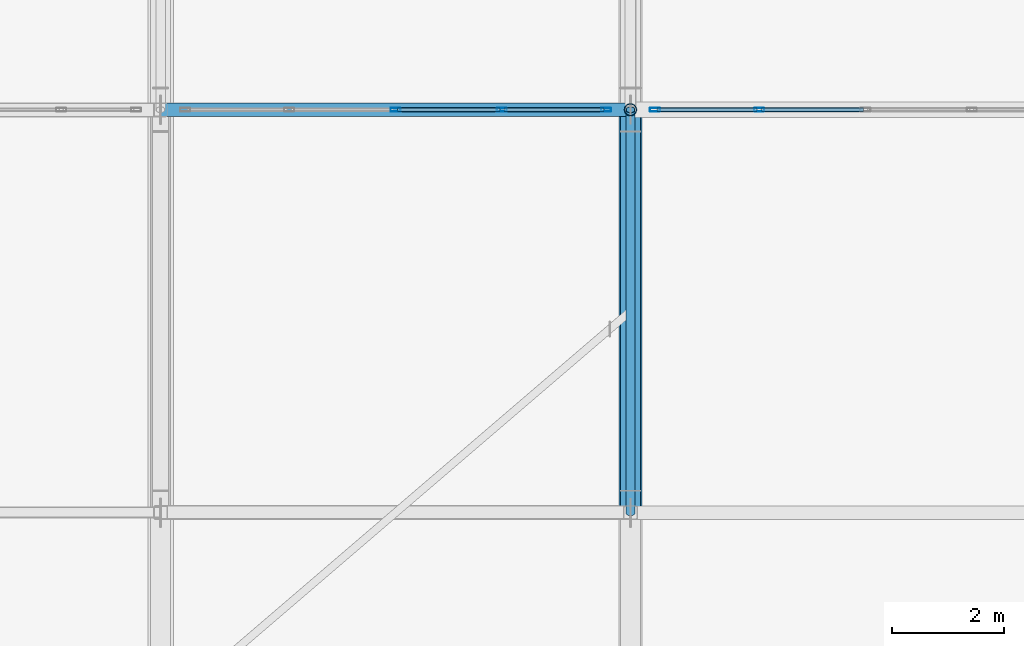
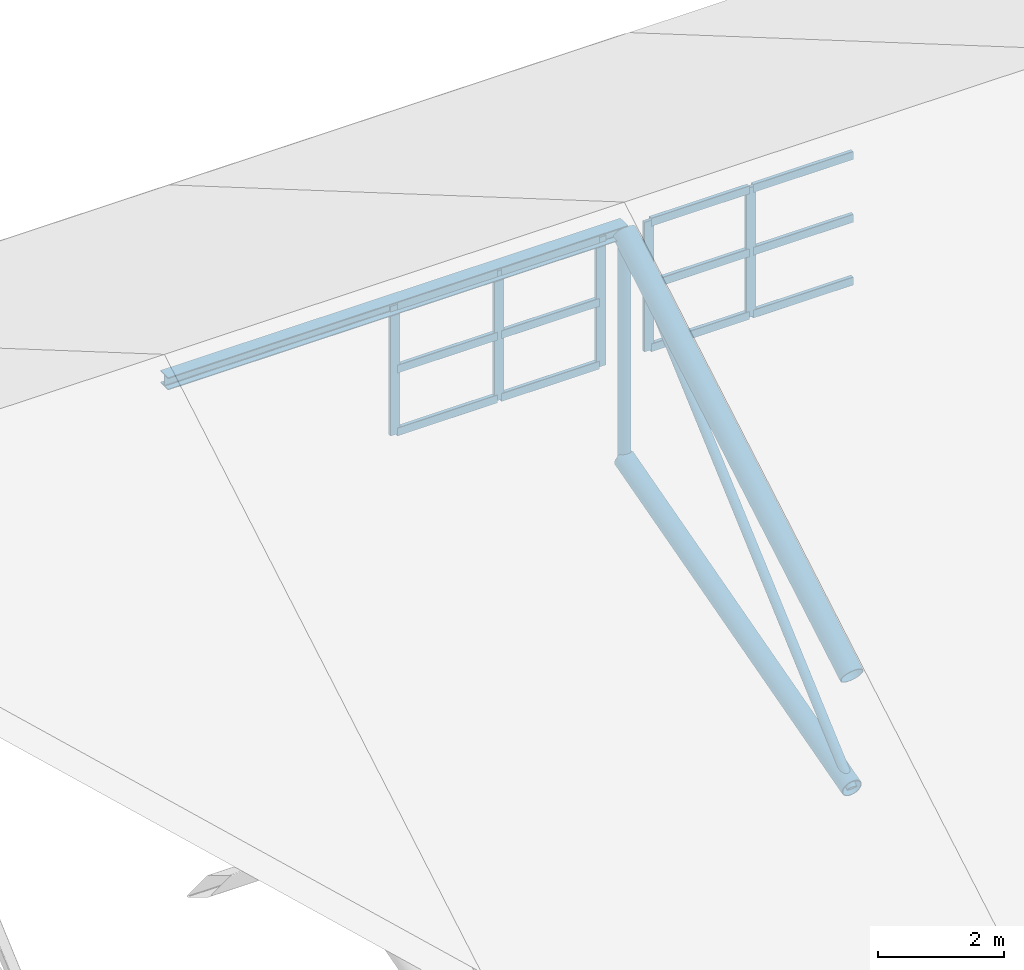
# One storey, part 9 of 54: 22 members, 2 elements without a shape of their own.
"""IFC4 building model written with IfcOpenShell, lengths in metres."""

import ifcopenshell
import ifcopenshell.guid

model = None  # the IFC model being written
_history = None  # IfcOwnerHistory: only IFC2X3 demands one
_inside = {}  # id of a spatial element -> (the spatial element, [elements in it])
_under = {}  # id of a project, library or spatial element -> (it, [spatial elements below it])
_declared = {}  # id of a project -> (the project, [libraries it declares])
_typed = {}  # id of a type object -> (the type object, [elements of that type])
_made_of = {}  # id of a material, layer set ... -> (it, [elements and type objects made of it])


def new_model(schema):
    """Start an empty IFC model of exactly this schema.

    Asked for "IFC4X3", IfcOpenShell would pick the latest addendum, in which some entities
    have other attributes; the version numbers below select the first issue.
    IFC2X3 requires an IfcOwnerHistory on every rooted entity: one is made here for all.
    """
    global model, _history
    if schema == "IFC4X3":
        model = ifcopenshell.file(schema_version=(4, 3, 0, 0))
    else:
        model = ifcopenshell.file(schema=schema)
    _inside.clear()
    _under.clear()
    _declared.clear()
    _typed.clear()
    _made_of.clear()
    _history = None
    if model.schema == "IFC2X3":
        org = make("IfcOrganization", Name="unknown")
        user = make(
            "IfcPersonAndOrganization",
            ThePerson=make("IfcPerson", FamilyName="unknown"),
            TheOrganization=org,
        )
        app = make(
            "IfcApplication",
            ApplicationDeveloper=org,
            Version="unknown",
            ApplicationFullName="unknown",
            ApplicationIdentifier="unknown",
        )
        _history = make(
            "IfcOwnerHistory",
            OwningUser=user,
            OwningApplication=app,
            ChangeAction="ADDED",
            CreationDate=0,
        )
    return model


def make(cls, **values):
    """One entity of the class cls with the attributes given. An attribute that is None is left unset."""
    return model.create_entity(
        cls, **{name: value for name, value in values.items() if value is not None}
    )


def rooted(cls, **values):
    """An entity with a GlobalId (a new one), such as an element, a storey or a relation."""
    return make(cls, GlobalId=ifcopenshell.guid.new(), OwnerHistory=_history, **values)


def si_unit(unit_type, name, prefix=None):
    """IfcSIUnit, for example si_unit("LENGTHUNIT", "METRE", prefix="MILLI")."""
    return make("IfcSIUnit", UnitType=unit_type, Prefix=prefix, Name=name)


def assignment(units):
    """IfcUnitAssignment: the units of a project."""
    return None if units is None else make("IfcUnitAssignment", Units=units)


def point(xyz):
    """IfcCartesianPoint."""
    return None if xyz is None else make("IfcCartesianPoint", Coordinates=xyz)


def direction(xyz):
    """IfcDirection."""
    return None if xyz is None else make("IfcDirection", DirectionRatios=xyz)


def frame(location, z_axis=None, x_axis=None):
    """IfcAxis2Placement3D, a coordinate frame: its origin and axes. An axis left out is left unset."""
    return make(
        "IfcAxis2Placement3D",
        Location=point(location),
        Axis=direction(z_axis),
        RefDirection=direction(x_axis),
    )


def frame_2d(location, x_axis=None):
    """IfcAxis2Placement2D, a coordinate frame in the plane: its origin and x axis."""
    return make(
        "IfcAxis2Placement2D", Location=point(location), RefDirection=direction(x_axis)
    )


def origin():
    """The frame at (0, 0, 0) with its axes left unset."""
    return frame((0.0, 0.0, 0.0))


def origin_2d():
    """The frame at (0, 0) in the plane with its x axis left unset."""
    return frame_2d((0.0, 0.0))


def place(relative_to, where):
    """IfcLocalPlacement: puts the frame where relative to a parent placement (None: the world)."""
    return make(
        "IfcLocalPlacement", PlacementRelTo=relative_to, RelativePlacement=where
    )


def context(
    kind, dimensions, precision=None, world=None, true_north=None, identifier=None
):
    """IfcGeometricRepresentationContext, for example the 3D "Model" context."""
    return make(
        "IfcGeometricRepresentationContext",
        ContextIdentifier=identifier,
        ContextType=kind,
        CoordinateSpaceDimension=dimensions,
        Precision=precision,
        WorldCoordinateSystem=world,
        TrueNorth=true_north,
    )


def subcontext(parent, identifier, kind, view, scale=None):
    """IfcGeometricRepresentationSubContext, for example "Body" below "Model"."""
    return make(
        "IfcGeometricRepresentationSubContext",
        ContextIdentifier=identifier,
        ContextType=kind,
        ParentContext=parent,
        TargetScale=scale,
        TargetView=view,
    )


def project(units=None, contexts=None):
    """IfcProject with its units and contexts."""
    return rooted(
        "IfcProject",
        Name="project",
        RepresentationContexts=contexts,
        UnitsInContext=assignment(units),
    )


def spatial(cls, under=None, at=None, **own):
    """A site, building, storey or space (cls), placed at a placement, below another one or the project."""
    s = rooted(cls, ObjectPlacement=at, **own)
    if under is not None:
        _under.setdefault(under.id(), (under, []))[1].append(s)
    return s


def profile(cls, at=None, kind="AREA", **sizes):
    """A parametric profile (cls). Its sizes go by their IFC names, for example OverallWidth=200.0."""
    return make(cls, ProfileType=kind, Position=at, **sizes)


def hollow_rectangle(**sizes):
    """IfcRectangleHollowProfileDef."""
    return profile("IfcRectangleHollowProfileDef", **sizes)


def hollow_circle(**sizes):
    """IfcCircleHollowProfileDef."""
    return profile("IfcCircleHollowProfileDef", **sizes)


def i_section(**sizes):
    """IfcIShapeProfileDef."""
    return profile("IfcIShapeProfileDef", **sizes)


def extrude(swept, where, along, depth):
    """IfcExtrudedAreaSolid: the profile swept, set in the frame where, extruded along a direction by depth."""
    return make(
        "IfcExtrudedAreaSolid",
        SweptArea=swept,
        Position=where,
        ExtrudedDirection=direction(along),
        Depth=depth,
    )


def shape(context_of_items, identifier, shape_type, items):
    """IfcShapeRepresentation: the items that make up one representation, for example the "Body"."""
    return make(
        "IfcShapeRepresentation",
        ContextOfItems=context_of_items,
        RepresentationIdentifier=identifier,
        RepresentationType=shape_type,
        Items=items,
    )


def material(Name=None, Category=None):
    """IfcMaterial."""
    return make("IfcMaterial", Name=Name, Category=Category)


def layer(
    of_material, thickness, ventilated=None, Name=None, Category=None, Priority=None
):
    """IfcMaterialLayer: one layer of a wall or slab, of a material (None: an air gap)."""
    return make(
        "IfcMaterialLayer",
        Material=of_material,
        LayerThickness=thickness,
        IsVentilated=ventilated,
        Name=Name,
        Category=Category,
        Priority=Priority,
    )


def layer_set(layers, Name=None):
    """IfcMaterialLayerSet."""
    return make("IfcMaterialLayerSet", MaterialLayers=layers, LayerSetName=Name)


def material_profile(
    of_material, cross_section, Name=None, Category=None, Priority=None
):
    """IfcMaterialProfile: a cross section and its material."""
    return make(
        "IfcMaterialProfile",
        Name=Name,
        Material=of_material,
        Profile=cross_section,
        Priority=Priority,
        Category=Category,
    )


def profile_set(profiles, Name=None, composite=None):
    """IfcMaterialProfileSet."""
    return make(
        "IfcMaterialProfileSet",
        Name=Name,
        MaterialProfiles=profiles,
        CompositeProfile=composite,
    )


def made_of(thing, what):
    """Note that an element or type object is made of a material, layer set ...; save() writes the relation."""
    if what is not None:
        _made_of.setdefault(what.id(), (what, []))[1].append(thing)
    return thing


def type_object(cls, material=None, **own):
    """A type object (cls), such as IfcWallType, which elements share."""
    return made_of(rooted(cls, **own), material)


def element(
    cls,
    number,
    at=None,
    inside=None,
    cuts=None,
    type_object=None,
    material=None,
    context=None,
    identifier="Body",
    shape_type=None,
    held_by="IfcProductDefinitionShape",
    body=None,
    shapes=None,
    **own,
):
    """One element of the class cls, such as IfcWall. Its Tag is "e" and its number.

    at: its placement. inside: the storey or other place that contains it. cuts: it is an
    opening in that element (IfcRelVoidsElement). A single representation is given by context,
    identifier, shape_type and body (its items); several are given by shapes. held_by: the class
    of the entity that holds the representations. save() writes the other relations.
    """
    e = rooted(cls, Tag="e%d" % number, ObjectPlacement=at, **own)
    if body is not None:
        shapes = [shape(context, identifier, shape_type, body)]
    if shapes is not None:
        e.Representation = make(held_by, Representations=shapes)
    if inside is not None:
        _inside.setdefault(inside.id(), (inside, []))[1].append(e)
    if cuts is not None:
        rooted(
            "IfcRelVoidsElement", RelatingBuildingElement=cuts, RelatedOpeningElement=e
        )
    if type_object is not None:
        _typed.setdefault(type_object.id(), (type_object, []))[1].append(e)
    return made_of(e, material)


def aggregate(whole, parts):
    """IfcRelAggregates: a whole, such as a stair, and the parts it consists of."""
    return rooted("IfcRelAggregates", RelatingObject=whole, RelatedObjects=parts)


def save(model, path):
    """Write the relations noted so far, then the file.

    IfcRelAggregates (storeys below a building ...), IfcRelContainedInSpatialStructure (elements
    in a storey), IfcRelDefinesByType, IfcRelAssociatesMaterial and IfcRelDeclares: one each for
    every whole, place, type object, material and project.
    """
    for whole, parts in _under.values():
        aggregate(whole, parts)
    for where, things in _inside.values():
        rooted(
            "IfcRelContainedInSpatialStructure",
            RelatedElements=things,
            RelatingStructure=where,
        )
    for kind, things in _typed.values():
        rooted("IfcRelDefinesByType", RelatedObjects=things, RelatingType=kind)
    for what, things in _made_of.values():
        rooted("IfcRelAssociatesMaterial", RelatedObjects=things, RelatingMaterial=what)
    for by, libraries in _declared.values():
        rooted("IfcRelDeclares", RelatingContext=by, RelatedDefinitions=libraries)
    model.write(path)


model = new_model("IFC4")

# Units and contexts
model_context = context("Model", 3, precision=1e-05, world=origin(), true_north=direction((0.0, 1.0)))
body_context = subcontext(model_context, "Body", "Model", "MODEL_VIEW")
ifc_project = project(units=[si_unit("LENGTHUNIT", "METRE"), si_unit("AREAUNIT", "SQUARE_METRE"), si_unit("VOLUMEUNIT", "CUBIC_METRE"), si_unit("PLANEANGLEUNIT", "RADIAN"), si_unit("MASSUNIT", "GRAM", prefix="KILO")], contexts=[model_context])

# Site, building, storey
site_placement = place(None, origin())
site = spatial("IfcSite", under=ifc_project, at=site_placement, CompositionType="ELEMENT")
building_placement = place(site_placement, origin())
building = spatial("IfcBuilding", under=site, at=building_placement, Name="Zulmaris Art Gallery", CompositionType="ELEMENT")
storey_placement = place(building_placement, frame((0.0, 0.0, 26.39990234375)))
storey = spatial("IfcBuildingStorey", under=building, at=storey_placement, Name="L05", CompositionType="ELEMENT", Elevation=26.39990234375)

# Curtain wall, members
ifc_material_1 = material(Name="Pitched Roof North-Light Clerestory Wall", Category="aluminium")
ifc_layer = layer(ifc_material_1, 0.179931640625)
ifc_layer_set = layer_set([ifc_layer], Name="Pitched Roof North-Light Clerestory Wall")
curtain_wall_type = type_object("IfcCurtainWallType", Name="CW-CW05", PredefinedType="NOTDEFINED", material=ifc_layer_set)
curtain_wall_1_placement = place(storey_placement, origin())
curtain_wall_1 = element("IfcCurtainWall", 1, at=curtain_wall_1_placement, inside=storey, type_object=curtain_wall_type, Name="L05 curtain wall 45", PredefinedType="NOTDEFINED")
ifc_material_2 = material(Name="Anodised Bronze Aluminium", Category="aluminium")
ifc_material_profile_1 = material_profile(ifc_material_2, hollow_rectangle(XDim=0.06494140625, YDim=0.179931640625, WallThickness=0.00390625, InnerFilletRadius=0.006103515625, OuterFilletRadius=0.010009765625, at=origin_2d()), Name="ALU 65x180x4")
ifc_profile_set_1 = profile_set([ifc_material_profile_1], Name="Anodised Bronze Aluminium")
member_type_1 = type_object("IfcMemberType", Name="CWMUL-01", PredefinedType="MULLION", material=ifc_profile_set_1)
member_1_placement = place(storey_placement, frame((28.199951171875, 36.0, 5.400146484375), z_axis=(0.0, 0.0, 1.0), x_axis=(0.0, 1.0, 0.0)))
member_1 = element("IfcMember", 2, at=member_1_placement, type_object=member_type_1, Name="CW05 mullion 3", PredefinedType="MULLION", context=body_context, shape_type="SweptSolid", body=[
    extrude(hollow_rectangle(XDim=0.06494140625, YDim=0.179931640625, WallThickness=0.00390625, InnerFilletRadius=0.006103515625, OuterFilletRadius=0.010009765625, at=origin_2d()), origin(), (0.0, 0.0, 1.0), 2.5),
])
member_2_placement = place(storey_placement, frame((30.10009765625, 36.0, 5.400146484375), z_axis=(0.0, 0.0, 1.0), x_axis=(0.0, 1.0, 0.0)))
member_2 = element("IfcMember", 3, at=member_2_placement, type_object=member_type_1, Name="CW05 mullion 4", PredefinedType="MULLION", context=body_context, shape_type="SweptSolid", body=[
    extrude(hollow_rectangle(XDim=0.06494140625, YDim=0.179931640625, WallThickness=0.00390625, InnerFilletRadius=0.006103515625, OuterFilletRadius=0.010009765625, at=origin_2d()), origin(), (0.0, 0.0, 1.0), 2.5),
])
member_3_placement = place(storey_placement, frame((31.96240234375, 36.0, 5.400146484375), z_axis=(0.0, 0.0, 1.0), x_axis=(0.0, 1.0, 0.0)))
member_3 = element("IfcMember", 4, at=member_3_placement, type_object=member_type_1, Name="CW05 mullion 5", PredefinedType="MULLION", context=body_context, shape_type="SweptSolid", body=[
    extrude(hollow_rectangle(XDim=0.06494140625, YDim=0.179931640625, WallThickness=0.00390625, InnerFilletRadius=0.006103515625, OuterFilletRadius=0.010009765625, at=origin_2d()), origin(), (0.0, 0.0, 1.0), 2.5),
])

curtain_wall_2_placement = place(storey_placement, origin())
curtain_wall_2 = element("IfcCurtainWall", 5, at=curtain_wall_2_placement, inside=storey, type_object=curtain_wall_type, Name="L05 curtain wall 46", PredefinedType="NOTDEFINED")
member_4_placement = place(storey_placement, frame((32.83740234375, 36.0, 5.400146484375), z_axis=(0.0, 0.0, 1.0), x_axis=(0.0, 1.0, 0.0)))
member_4 = element("IfcMember", 6, at=member_4_placement, type_object=member_type_1, Name="CW05 mullion 1", PredefinedType="MULLION", context=body_context, shape_type="SweptSolid", body=[
    extrude(hollow_rectangle(XDim=0.06494140625, YDim=0.179931640625, WallThickness=0.00390625, InnerFilletRadius=0.006103515625, OuterFilletRadius=0.010009765625, at=origin_2d()), origin(), (0.0, 0.0, 1.0), 2.5),
])
member_5_placement = place(storey_placement, frame((34.699951171875, 36.0, 5.400146484375), z_axis=(0.0, 0.0, 1.0), x_axis=(0.0, 1.0, 0.0)))
member_5 = element("IfcMember", 7, at=member_5_placement, type_object=member_type_1, Name="CW05 mullion 2", PredefinedType="MULLION", context=body_context, shape_type="SweptSolid", body=[
    extrude(hollow_rectangle(XDim=0.06494140625, YDim=0.179931640625, WallThickness=0.00390625, InnerFilletRadius=0.006103515625, OuterFilletRadius=0.010009765625, at=origin_2d()), origin(), (0.0, 0.0, 1.0), 2.5),
])

# Member
ifc_material_profile_2 = material_profile(ifc_material_2, hollow_rectangle(XDim=0.074951171875, YDim=0.159912109375, WallThickness=0.00390625, InnerFilletRadius=0.006103515625, OuterFilletRadius=0.010009765625, at=origin_2d()), Name="ALU 75x160x4")
ifc_profile_set_2 = profile_set([ifc_material_profile_2], Name="Anodised Bronze Aluminium")
member_type_2 = type_object("IfcMemberType", Name="CWTRN-02", PredefinedType="USERDEFINED", material=ifc_profile_set_2)
member_6_placement = place(storey_placement, frame((28.237548828125, 36.0, 5.4375), z_axis=(1.0, 0.0, 0.0), x_axis=(0.0, 1.0, 0.0)))
member_6 = element("IfcMember", 8, at=member_6_placement, type_object=member_type_2, Name="CW05 transom 3.1", ObjectType="TRANSOM", PredefinedType="USERDEFINED", context=body_context, shape_type="SweptSolid", body=[
    extrude(hollow_rectangle(XDim=0.074951171875, YDim=0.159912109375, WallThickness=0.00390625, InnerFilletRadius=0.006103515625, OuterFilletRadius=0.010009765625, at=origin_2d()), origin(), (0.0, 0.0, 1.0), 1.824951171875),
])

member_7_placement = place(storey_placement, frame((28.237548828125, 36.0, 6.650146484375), z_axis=(1.0, 0.0, 0.0), x_axis=(0.0, 1.0, 0.0)))
member_7 = element("IfcMember", 9, at=member_7_placement, type_object=member_type_2, Name="CW05 transom 3.2", ObjectType="TRANSOM", PredefinedType="USERDEFINED", context=body_context, shape_type="SweptSolid", body=[
    extrude(hollow_rectangle(XDim=0.074951171875, YDim=0.159912109375, WallThickness=0.00390625, InnerFilletRadius=0.006103515625, OuterFilletRadius=0.010009765625, at=origin_2d()), origin(), (0.0, 0.0, 1.0), 1.824951171875),
])

member_8_placement = place(storey_placement, frame((28.237548828125, 36.0, 7.862548828125), z_axis=(1.0, 0.0, 0.0), x_axis=(0.0, 1.0, 0.0)))
member_8 = element("IfcMember", 10, at=member_8_placement, type_object=member_type_2, Name="CW05 transom 3.3", ObjectType="TRANSOM", PredefinedType="USERDEFINED", context=body_context, shape_type="SweptSolid", body=[
    extrude(hollow_rectangle(XDim=0.074951171875, YDim=0.159912109375, WallThickness=0.00390625, InnerFilletRadius=0.006103515625, OuterFilletRadius=0.010009765625, at=origin_2d()), origin(), (0.0, 0.0, 1.0), 1.824951171875),
])

member_9_placement = place(storey_placement, frame((30.137451171875, 36.0, 5.4375), z_axis=(1.0, 0.0, 0.0), x_axis=(0.0, 1.0, 0.0)))
member_9 = element("IfcMember", 11, at=member_9_placement, type_object=member_type_2, Name="CW05 transom 4.1", ObjectType="TRANSOM", PredefinedType="USERDEFINED", context=body_context, shape_type="SweptSolid", body=[
    extrude(hollow_rectangle(XDim=0.074951171875, YDim=0.159912109375, WallThickness=0.00390625, InnerFilletRadius=0.006103515625, OuterFilletRadius=0.010009765625, at=origin_2d()), origin(), (0.0, 0.0, 1.0), 1.78759765625),
])

member_10_placement = place(storey_placement, frame((30.137451171875, 36.0, 6.650146484375), z_axis=(1.0, 0.0, 0.0), x_axis=(0.0, 1.0, 0.0)))
member_10 = element("IfcMember", 12, at=member_10_placement, type_object=member_type_2, Name="CW05 transom 4.2", ObjectType="TRANSOM", PredefinedType="USERDEFINED", context=body_context, shape_type="SweptSolid", body=[
    extrude(hollow_rectangle(XDim=0.074951171875, YDim=0.159912109375, WallThickness=0.00390625, InnerFilletRadius=0.006103515625, OuterFilletRadius=0.010009765625, at=origin_2d()), origin(), (0.0, 0.0, 1.0), 1.78759765625),
])

member_11_placement = place(storey_placement, frame((30.137451171875, 36.0, 7.862548828125), z_axis=(1.0, 0.0, 0.0), x_axis=(0.0, 1.0, 0.0)))
member_11 = element("IfcMember", 13, at=member_11_placement, type_object=member_type_2, Name="CW05 transom 4.3", ObjectType="TRANSOM", PredefinedType="USERDEFINED", context=body_context, shape_type="SweptSolid", body=[
    extrude(hollow_rectangle(XDim=0.074951171875, YDim=0.159912109375, WallThickness=0.00390625, InnerFilletRadius=0.006103515625, OuterFilletRadius=0.010009765625, at=origin_2d()), origin(), (0.0, 0.0, 1.0), 1.78759765625),
])

aggregate(curtain_wall_1, [member_1, member_2, member_3, member_6, member_7, member_8, member_9, member_10, member_11])

member_12_placement = place(storey_placement, frame((32.875, 36.0, 5.4375), z_axis=(1.0, 0.0, 0.0), x_axis=(0.0, 1.0, 0.0)))
member_12 = element("IfcMember", 14, at=member_12_placement, type_object=member_type_2, Name="CW05 transom 1.1", ObjectType="TRANSOM", PredefinedType="USERDEFINED", context=body_context, shape_type="SweptSolid", body=[
    extrude(hollow_rectangle(XDim=0.074951171875, YDim=0.159912109375, WallThickness=0.00390625, InnerFilletRadius=0.006103515625, OuterFilletRadius=0.010009765625, at=origin_2d()), origin(), (0.0, 0.0, 1.0), 1.78759765625),
])

member_13_placement = place(storey_placement, frame((32.875, 36.0, 6.650146484375), z_axis=(1.0, 0.0, 0.0), x_axis=(0.0, 1.0, 0.0)))
member_13 = element("IfcMember", 15, at=member_13_placement, type_object=member_type_2, Name="CW05 transom 1.2", ObjectType="TRANSOM", PredefinedType="USERDEFINED", context=body_context, shape_type="SweptSolid", body=[
    extrude(hollow_rectangle(XDim=0.074951171875, YDim=0.159912109375, WallThickness=0.00390625, InnerFilletRadius=0.006103515625, OuterFilletRadius=0.010009765625, at=origin_2d()), origin(), (0.0, 0.0, 1.0), 1.78759765625),
])

member_14_placement = place(storey_placement, frame((32.875, 36.0, 7.862548828125), z_axis=(1.0, 0.0, 0.0), x_axis=(0.0, 1.0, 0.0)))
member_14 = element("IfcMember", 16, at=member_14_placement, type_object=member_type_2, Name="CW05 transom 1.3", ObjectType="TRANSOM", PredefinedType="USERDEFINED", context=body_context, shape_type="SweptSolid", body=[
    extrude(hollow_rectangle(XDim=0.074951171875, YDim=0.159912109375, WallThickness=0.00390625, InnerFilletRadius=0.006103515625, OuterFilletRadius=0.010009765625, at=origin_2d()), origin(), (0.0, 0.0, 1.0), 1.78759765625),
])

member_15_placement = place(storey_placement, frame((34.737548828125, 36.0, 5.4375), z_axis=(1.0, 0.0, 0.0), x_axis=(0.0, 1.0, 0.0)))
member_15 = element("IfcMember", 17, at=member_15_placement, type_object=member_type_2, Name="CW05 transom 2.1", ObjectType="TRANSOM", PredefinedType="USERDEFINED", context=body_context, shape_type="SweptSolid", body=[
    extrude(hollow_rectangle(XDim=0.074951171875, YDim=0.159912109375, WallThickness=0.00390625, InnerFilletRadius=0.006103515625, OuterFilletRadius=0.010009765625, at=origin_2d()), origin(), (0.0, 0.0, 1.0), 1.824951171875),
])

member_16_placement = place(storey_placement, frame((34.737548828125, 36.0, 6.650146484375), z_axis=(1.0, 0.0, 0.0), x_axis=(0.0, 1.0, 0.0)))
member_16 = element("IfcMember", 18, at=member_16_placement, type_object=member_type_2, Name="CW05 transom 2.2", ObjectType="TRANSOM", PredefinedType="USERDEFINED", context=body_context, shape_type="SweptSolid", body=[
    extrude(hollow_rectangle(XDim=0.074951171875, YDim=0.159912109375, WallThickness=0.00390625, InnerFilletRadius=0.006103515625, OuterFilletRadius=0.010009765625, at=origin_2d()), origin(), (0.0, 0.0, 1.0), 1.824951171875),
])

member_17_placement = place(storey_placement, frame((34.737548828125, 36.0, 7.862548828125), z_axis=(1.0, 0.0, 0.0), x_axis=(0.0, 1.0, 0.0)))
member_17 = element("IfcMember", 19, at=member_17_placement, type_object=member_type_2, Name="CW05 transom 2.3", ObjectType="TRANSOM", PredefinedType="USERDEFINED", context=body_context, shape_type="SweptSolid", body=[
    extrude(hollow_rectangle(XDim=0.074951171875, YDim=0.159912109375, WallThickness=0.00390625, InnerFilletRadius=0.006103515625, OuterFilletRadius=0.010009765625, at=origin_2d()), origin(), (0.0, 0.0, 1.0), 1.824951171875),
])

aggregate(curtain_wall_2, [member_4, member_5, member_12, member_13, member_14, member_15, member_16, member_17])

# Members
ifc_material_3 = material(Name="Steel S355J2", Category="steel")
ifc_material_profile_3 = material_profile(ifc_material_3, i_section(OverallWidth=0.239990234375, OverallDepth=0.239990234375, WebThickness=0.010009765625, FlangeThickness=0.01708984375, FilletRadius=0.02099609375, at=origin_2d()), Name="HEB 240")
ifc_profile_set_3 = profile_set([ifc_material_profile_3], Name="Steel S355J2")
member_type_3 = type_object("IfcMemberType", Name="MEM-PR05", PredefinedType="PURLIN", material=ifc_profile_set_3)
member_18_placement = place(storey_placement, frame((24.0, 36.0, 7.900146484375), z_axis=(1.0, 0.0, 0.0), x_axis=(0.0, 1.0, 0.0)))
element("IfcMember", 20, at=member_18_placement, inside=storey, type_object=member_type_3, Name="Skylight roof purlin bay 3 line 3", PredefinedType="PURLIN", context=body_context, shape_type="SweptSolid", body=[
    extrude(i_section(OverallWidth=0.239990234375, OverallDepth=0.239990234375, WebThickness=0.010009765625, FlangeThickness=0.01708984375, FilletRadius=0.02099609375, at=origin_2d()), origin(), (0.0, 0.0, 1.0), 8.39990234375),
])
ifc_material_4 = material(Name="Steel S355J2H", Category="steel")
ifc_material_profile_4 = material_profile(ifc_material_4, hollow_circle(Radius=0.084228515625, WallThickness=0.008056640625, at=origin_2d()), Name="CHS 168.3x8")
ifc_profile_set_4 = profile_set([ifc_material_profile_4], Name="Steel S355J2H")
member_type_4 = type_object("IfcMemberType", Name="MEM-TB01", PredefinedType="BRACE", material=ifc_profile_set_4)
member_19_placement = place(storey_placement, frame((32.39990234375, 28.800048828125, 1.4501953125), z_axis=(0.0, 0.748961175261, 0.662613883006), x_axis=(-1.0, 0.0, 0.0)))
element("IfcMember", 21, at=member_19_placement, inside=storey, type_object=member_type_4, Name="Pitched gallery truss TR-R04 diagonal 2", PredefinedType="BRACE", context=body_context, shape_type="SweptSolid", body=[
    extrude(hollow_circle(Radius=0.084228515625, WallThickness=0.008056640625, at=origin_2d()), origin(), (0.0, 0.0, 1.0), 9.61328125),
])
ifc_material_profile_5 = material_profile(ifc_material_4, hollow_circle(Radius=0.177734375, WallThickness=0.01611328125, at=origin_2d()), Name="CHS 355.6x16")
ifc_profile_set_5 = profile_set([ifc_material_profile_5], Name="Steel S355J2H")
member_type_5 = type_object("IfcMemberType", Name="MEM-TC01", PredefinedType="CHORD", material=ifc_profile_set_5)
member_20_placement = place(storey_placement, frame((32.39990234375, 28.800048828125, 1.4501953125), z_axis=(0.0, 0.963517441554, 0.267645548853), x_axis=(-1.0, 0.0, 0.0)))
element("IfcMember", 22, at=member_20_placement, inside=storey, type_object=member_type_5, Name="Pitched gallery truss TR-R04 bottom chord 2", PredefinedType="CHORD", context=body_context, shape_type="SweptSolid", body=[
    extrude(hollow_circle(Radius=0.177734375, WallThickness=0.01611328125, at=origin_2d()), origin(), (0.0, 0.0, 1.0), 7.47265625),
])
ifc_material_profile_6 = material_profile(ifc_material_4, hollow_circle(Radius=0.203125, WallThickness=0.01611328125, at=origin_2d()), Name="CHS 406.4x16")
ifc_profile_set_6 = profile_set([ifc_material_profile_6], Name="Steel S355J2H")
member_type_6 = type_object("IfcMemberType", Name="MEM-TC02", PredefinedType="CHORD", material=ifc_profile_set_6)
member_21_placement = place(storey_placement, frame((32.39990234375, 28.800048828125, 3.6201171875), z_axis=(0.0, 0.863779963214, 0.503869204407), x_axis=(-1.0, 0.0, 0.0)))
element("IfcMember", 23, at=member_21_placement, inside=storey, type_object=member_type_6, Name="Pitched gallery truss TR-R04 top chord 2", PredefinedType="CHORD", context=body_context, shape_type="SweptSolid", body=[
    extrude(hollow_circle(Radius=0.203125, WallThickness=0.01611328125, at=origin_2d()), origin(), (0.0, 0.0, 1.0), 8.33544921875),
])
ifc_material_profile_7 = material_profile(ifc_material_4, hollow_circle(Radius=0.109619140625, WallThickness=0.010009765625, at=origin_2d()), Name="CHS 219.1x10")
ifc_profile_set_7 = profile_set([ifc_material_profile_7], Name="Steel S355J2H")
member_type_7 = type_object("IfcMemberType", Name="MEM-TP01", PredefinedType="POST", material=ifc_profile_set_7)
member_22_placement = place(storey_placement, frame((32.39990234375, 36.0, 3.4501953125), z_axis=(0.0, 0.0, 1.0), x_axis=(1.0, 0.0, 0.0)))
element("IfcMember", 24, at=member_22_placement, inside=storey, type_object=member_type_7, Name="Pitched gallery truss TR-R04 web post 3", PredefinedType="POST", context=body_context, shape_type="SweptSolid", body=[
    extrude(hollow_circle(Radius=0.109619140625, WallThickness=0.010009765625, at=origin_2d()), origin(), (0.0, 0.0, 1.0), 4.369873046875),
])

save(model, "model.ifc")
